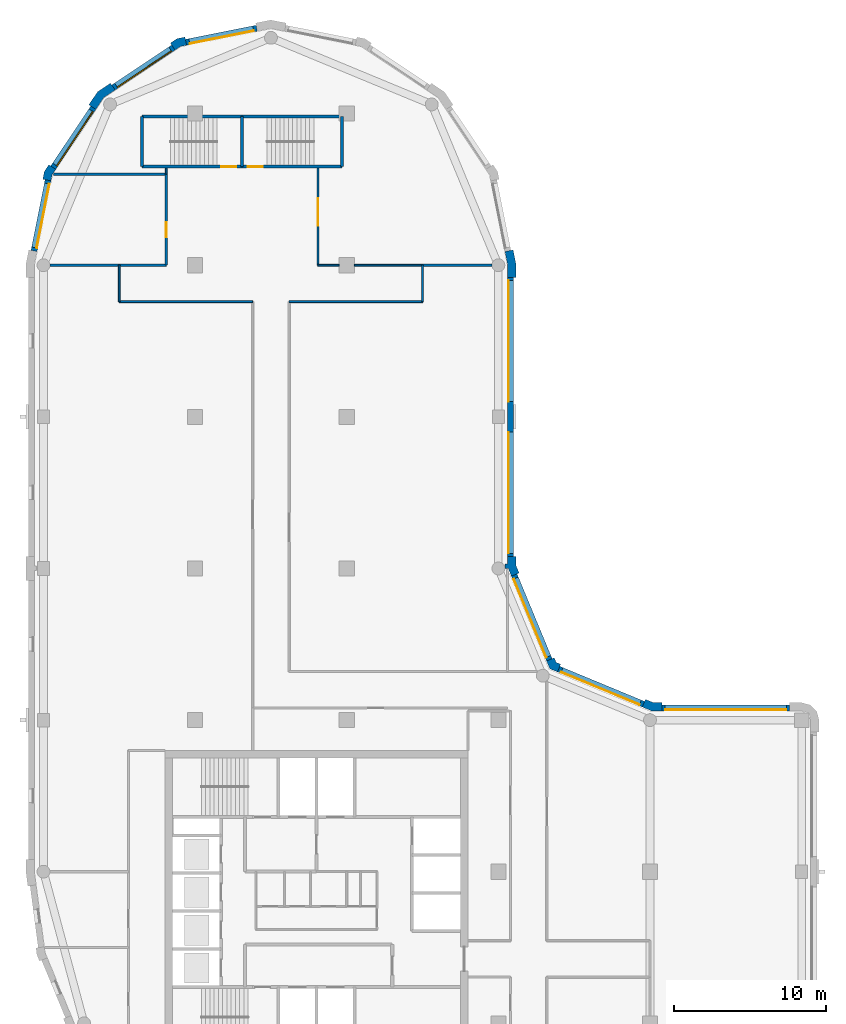
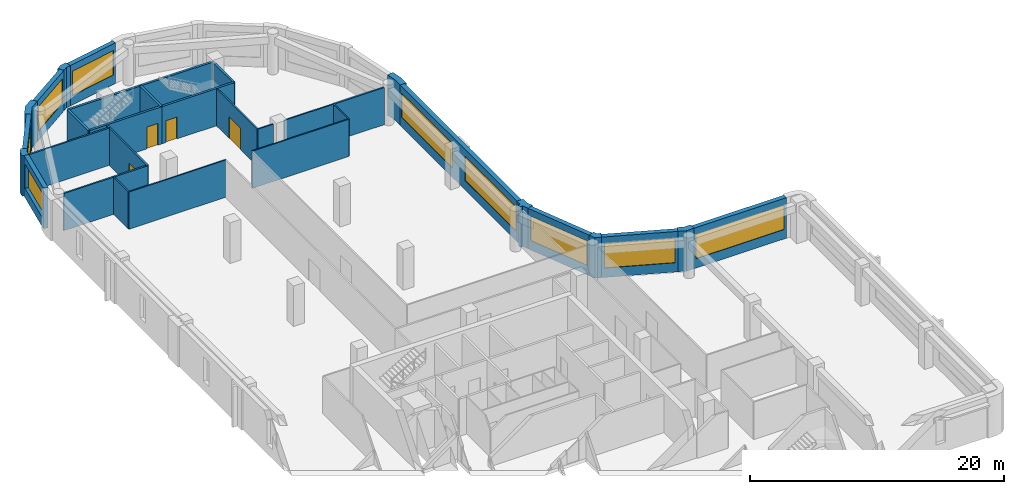
# One storey, part 5 of 8: 34 walls, 9 windows, 4 doors, 13 openings.
"""IFC4 building model written with IfcOpenShell, lengths in metres."""

from ifc_helpers import new_model, si_unit, direction, frame, frame_2d, origin, place, context, subcontext, project, spatial, polyline, rectangle, outline, extrude, material, layer, layer_set, type_object, element, fill, save


model = new_model("IFC4")

# Units and contexts
model_context = context("Model", 3, precision=1e-05, world=origin(), true_north=direction((0.0, 1.0)))
body_context = subcontext(model_context, "Body", "Model", "MODEL_VIEW")
ifc_project = project(units=[si_unit("LENGTHUNIT", "METRE"), si_unit("AREAUNIT", "SQUARE_METRE"), si_unit("VOLUMEUNIT", "CUBIC_METRE"), si_unit("PLANEANGLEUNIT", "RADIAN"), si_unit("MASSUNIT", "GRAM", prefix="KILO")], contexts=[model_context])

# Site, building, storey
site_placement = place(None, origin())
site = spatial("IfcSite", under=ifc_project, at=site_placement, CompositionType="ELEMENT")
building_placement = place(site_placement, origin())
building = spatial("IfcBuilding", under=site, at=building_placement, Name="Qaws Garden Tower", CompositionType="ELEMENT")
storey_placement = place(building_placement, frame((0.0, 0.0, 274.800048828125)))
storey = spatial("IfcBuildingStorey", under=building, at=storey_placement, Name="L66", CompositionType="ELEMENT", Elevation=274.800048828125)

# Wall, opening, window
ifc_material_1 = material(Name="Buff clay facing brick masonry", Category="masonry")
ifc_layer_1 = layer(ifc_material_1, 0.39990234375)
ifc_layer_set_1 = layer_set([ifc_layer_1], Name="Buff clay facing brick masonry")
wall_type_1 = type_object("IfcWallType", Name="Buff brick infill wall 400", PredefinedType="SOLIDWALL", material=ifc_layer_set_1)
wall_1_placement = place(storey_placement, frame((49.199951171875, 30.800048828125, 0.0), z_axis=(0.0, 0.0, 1.0), x_axis=(-1.0, 0.0, 0.0)))
wall_1 = element("IfcWall", 1, at=wall_1_placement, inside=storey, type_object=wall_type_1, Name="E-L66-infill-06", PredefinedType="SOLIDWALL", context=body_context, shape_type="SweptSolid", body=[
    extrude(rectangle(XDim=8.39990234375, YDim=0.39990234375, at=frame_2d((4.199951171875, 0.0))), origin(), (0.0, 0.0, 1.0), 3.89990234375),
])
opening_1_placement = place(wall_1_placement, frame((0.199951171875, 0.0, 0.89990234375)))
opening_1 = element("IfcOpeningElement", 2, at=opening_1_placement, cuts=wall_1, Name="Opening W01", PredefinedType="OPENING", context=body_context, shape_type="SweptSolid", body=[
    extrude(rectangle(XDim=8.0, YDim=2.35009765625, at=frame_2d((4.0, 1.175048828125))), frame((0.0, 0.2099609375, 0.0), z_axis=(0.0, -1.0, 0.0), x_axis=(1.0, 0.0, 0.0)), (0.0, 0.0, 1.0), 0.419921875),
])
ifc_material_2 = material(Name="Aluminium framed window, clear glazing", Category="aluminium")
window_type_1 = type_object("IfcWindowType", Name="Ribbon window 8000 x 2350", PartitioningType="DOUBLE_PANEL_VERTICAL", PredefinedType="WINDOW", material=ifc_material_2)
window_1_placement = place(opening_1_placement, origin())
window_1 = element("IfcWindow", 3, at=window_1_placement, inside=storey, type_object=window_type_1, Name="E-L66-window-06-0", OverallHeight=2.35009765625, OverallWidth=8.0, PartitioningType="SINGLE_PANEL", PredefinedType="WINDOW", context=body_context, shape_type="SweptSolid", body=[
    extrude(rectangle(XDim=8.0, YDim=2.35009765625, at=frame_2d((4.0, 1.175048828125))), frame((0.0, 0.159912109375, 0.0), z_axis=(0.0, -1.0, 0.0), x_axis=(1.0, 0.0, 0.0)), (0.0, 0.0, 1.0), 0.06005859375),
])
fill(opening_1, window_1)

wall_2_placement = place(storey_placement, frame((39.56689453125, 31.04541015625, 0.0), z_axis=(0.0, 0.0, 1.0), x_axis=(-0.923891000409, 0.382655745237, 0.0)))
wall_2 = element("IfcWall", 4, at=wall_2_placement, inside=storey, type_object=wall_type_1, Name="E-L66-infill-07", PredefinedType="SOLIDWALL", context=body_context, shape_type="SweptSolid", body=[
    extrude(rectangle(XDim=6.053466796875, YDim=0.39990234375, at=frame_2d((3.02685546875, 0.0))), origin(), (0.0, 0.0, 1.0), 3.89990234375),
])
opening_2_placement = place(wall_2_placement, frame((0.226806640625, 0.0, 0.89990234375)))
opening_2 = element("IfcOpeningElement", 5, at=opening_2_placement, cuts=wall_2, Name="Opening W04", PredefinedType="OPENING", context=body_context, shape_type="SweptSolid", body=[
    extrude(rectangle(XDim=5.60009765625, YDim=2.35009765625, at=frame_2d((2.800048828125, 1.175048828125))), frame((0.0, 0.2099609375, 0.0), z_axis=(0.0, -1.0, 0.0), x_axis=(1.0, 0.0, 0.0)), (0.0, 0.0, 1.0), 0.419921875),
])
ifc_material_3 = material(Name="Aluminium framed window, clear glazing", Category="aluminium")
window_type_2 = type_object("IfcWindowType", Name="Ribbon window 5600 x 2350", PartitioningType="DOUBLE_PANEL_VERTICAL", PredefinedType="WINDOW", material=ifc_material_3)
window_2_placement = place(opening_2_placement, origin())
window_2 = element("IfcWindow", 6, at=window_2_placement, inside=storey, type_object=window_type_2, Name="E-L66-window-07-0", OverallHeight=2.35009765625, OverallWidth=5.60009765625, PartitioningType="SINGLE_PANEL", PredefinedType="WINDOW", context=body_context, shape_type="SweptSolid", body=[
    extrude(rectangle(XDim=5.60009765625, YDim=2.35009765625, at=frame_2d((2.800048828125, 1.175048828125))), frame((0.0, 0.159912109375, 0.0), z_axis=(0.0, -1.0, 0.0), x_axis=(1.0, 0.0, 0.0)), (0.0, 0.0, 1.0), 0.06005859375),
])
fill(opening_2, window_2)

wall_3_placement = place(storey_placement, frame((33.36181640625, 33.97412109375, 0.0), z_axis=(0.0, 0.0, 1.0), x_axis=(-0.382655745237, 0.923891000409, 0.0)))
wall_3 = element("IfcWall", 7, at=wall_3_placement, inside=storey, type_object=wall_type_1, Name="E-L66-infill-08", PredefinedType="SOLIDWALL", context=body_context, shape_type="SweptSolid", body=[
    extrude(rectangle(XDim=6.053466796875, YDim=0.39990234375, at=frame_2d((3.02685546875, 0.0))), origin(), (0.0, 0.0, 1.0), 3.89990234375),
])
opening_3_placement = place(wall_3_placement, frame((0.226806640625, 0.0, 0.89990234375)))
opening_3 = element("IfcOpeningElement", 8, at=opening_3_placement, cuts=wall_3, Name="Opening W04", PredefinedType="OPENING", context=body_context, shape_type="SweptSolid", body=[
    extrude(rectangle(XDim=5.60009765625, YDim=2.35009765625, at=frame_2d((2.800048828125, 1.175048828125))), frame((0.0, 0.2099609375, 0.0), z_axis=(0.0, -1.0, 0.0), x_axis=(1.0, 0.0, 0.0)), (0.0, 0.0, 1.0), 0.419921875),
])
window_3_placement = place(opening_3_placement, origin())
window_3 = element("IfcWindow", 9, at=window_3_placement, inside=storey, type_object=window_type_2, Name="E-L66-window-08-0", OverallHeight=2.35009765625, OverallWidth=5.60009765625, PartitioningType="SINGLE_PANEL", PredefinedType="WINDOW", context=body_context, shape_type="SweptSolid", body=[
    extrude(rectangle(XDim=5.60009765625, YDim=2.35009765625, at=frame_2d((2.800048828125, 1.175048828125))), frame((0.0, 0.159912109375, 0.0), z_axis=(0.0, -1.0, 0.0), x_axis=(1.0, 0.0, 0.0)), (0.0, 0.0, 1.0), 0.06005859375),
])
fill(opening_3, window_3)

# Wall, openings, windows
wall_4_placement = place(storey_placement, frame((30.800048828125, 40.800048828125, 0.0), z_axis=(0.0, 0.0, 1.0), x_axis=(0.0, 1.0, 0.0)))
wall_4 = element("IfcWall", 10, at=wall_4_placement, inside=storey, type_object=wall_type_1, Name="E-L66-infill-09", PredefinedType="SOLIDWALL", context=body_context, shape_type="SweptSolid", body=[
    extrude(rectangle(XDim=18.39990234375, YDim=0.39990234375, at=frame_2d((9.199951171875, 0.0))), origin(), (0.0, 0.0, 1.0), 3.89990234375),
])
opening_4_placement = place(wall_4_placement, frame((0.199951171875, 0.0, 0.89990234375)))
opening_4 = element("IfcOpeningElement", 11, at=opening_4_placement, cuts=wall_4, Name="Opening W01", PredefinedType="OPENING", context=body_context, shape_type="SweptSolid", body=[
    extrude(rectangle(XDim=8.0, YDim=2.35009765625, at=frame_2d((4.0, 1.175048828125))), frame((0.0, 0.2099609375, 0.0), z_axis=(0.0, -1.0, 0.0), x_axis=(1.0, 0.0, 0.0)), (0.0, 0.0, 1.0), 0.419921875),
])
opening_5_placement = place(wall_4_placement, frame((10.199951171875, 0.0, 0.89990234375)))
opening_5 = element("IfcOpeningElement", 12, at=opening_5_placement, cuts=wall_4, Name="Opening W01", PredefinedType="OPENING", context=body_context, shape_type="SweptSolid", body=[
    extrude(rectangle(XDim=8.0, YDim=2.35009765625, at=frame_2d((4.0, 1.175048828125))), frame((0.0, 0.2099609375, 0.0), z_axis=(0.0, -1.0, 0.0), x_axis=(1.0, 0.0, 0.0)), (0.0, 0.0, 1.0), 0.419921875),
])
window_4_placement = place(opening_4_placement, origin())
window_4 = element("IfcWindow", 13, at=window_4_placement, inside=storey, type_object=window_type_1, Name="E-L66-window-09-0", OverallHeight=2.35009765625, OverallWidth=8.0, PartitioningType="SINGLE_PANEL", PredefinedType="WINDOW", context=body_context, shape_type="SweptSolid", body=[
    extrude(rectangle(XDim=8.0, YDim=2.35009765625, at=frame_2d((4.0, 1.175048828125))), frame((0.0, 0.159912109375, 0.0), z_axis=(0.0, -1.0, 0.0), x_axis=(1.0, 0.0, 0.0)), (0.0, 0.0, 1.0), 0.06005859375),
])
fill(opening_4, window_4)
window_5_placement = place(opening_5_placement, origin())
window_5 = element("IfcWindow", 14, at=window_5_placement, inside=storey, type_object=window_type_1, Name="E-L66-window-10-0", OverallHeight=2.35009765625, OverallWidth=8.0, PartitioningType="SINGLE_PANEL", PredefinedType="WINDOW", context=body_context, shape_type="SweptSolid", body=[
    extrude(rectangle(XDim=8.0, YDim=2.35009765625, at=frame_2d((4.0, 1.175048828125))), frame((0.0, 0.159912109375, 0.0), z_axis=(0.0, -1.0, 0.0), x_axis=(1.0, 0.0, 0.0)), (0.0, 0.0, 1.0), 0.06005859375),
])
fill(opening_5, window_5)

# Wall, opening, window
wall_5_placement = place(storey_placement, frame((14.059326171875, 75.628662109375, 0.0), z_axis=(0.0, 0.0, 1.0), x_axis=(-0.98078364709, -0.195098533057, 0.0)))
wall_5 = element("IfcWall", 15, at=wall_5_placement, inside=storey, type_object=wall_type_1, Name="E-L66-infill-15", PredefinedType="SOLIDWALL", context=body_context, shape_type="SweptSolid", body=[
    extrude(rectangle(XDim=4.752685546875, YDim=0.39990234375, at=frame_2d((2.37646484375, 0.0))), origin(), (0.0, 0.0, 1.0), 3.89990234375),
])
opening_6_placement = place(wall_5_placement, frame((0.226318359375, 0.0, 0.89990234375)))
opening_6 = element("IfcOpeningElement", 16, at=opening_6_placement, cuts=wall_5, Name="Opening W06", PredefinedType="OPENING", context=body_context, shape_type="SweptSolid", body=[
    extrude(rectangle(XDim=4.300048828125, YDim=2.35009765625, at=frame_2d((2.14990234375, 1.175048828125))), frame((0.0, 0.2099609375, 0.0), z_axis=(0.0, -1.0, 0.0), x_axis=(1.0, 0.0, 0.0)), (0.0, 0.0, 1.0), 0.419921875),
])
ifc_material_4 = material(Name="Aluminium framed window, clear glazing", Category="aluminium")
window_type_3 = type_object("IfcWindowType", Name="Ribbon window 4300 x 2350", PartitioningType="DOUBLE_PANEL_VERTICAL", PredefinedType="WINDOW", material=ifc_material_4)
window_6_placement = place(opening_6_placement, origin())
window_6 = element("IfcWindow", 17, at=window_6_placement, inside=storey, type_object=window_type_3, Name="E-L66-window-15-0", OverallHeight=2.35009765625, OverallWidth=4.300048828125, PartitioningType="SINGLE_PANEL", PredefinedType="WINDOW", context=body_context, shape_type="SweptSolid", body=[
    extrude(rectangle(XDim=4.300048828125, YDim=2.35009765625, at=frame_2d((2.14990234375, 1.175048828125))), frame((0.0, 0.159912109375, 0.0), z_axis=(0.0, -1.0, 0.0), x_axis=(1.0, 0.0, 0.0)), (0.0, 0.0, 1.0), 0.06005859375),
])
fill(opening_6, window_6)

wall_6_placement = place(storey_placement, frame((8.56591796875, 74.356689453125, 0.0), z_axis=(0.0, 0.0, 1.0), x_axis=(-0.831488775454, -0.555541552266, 0.0)))
wall_6 = element("IfcWall", 18, at=wall_6_placement, inside=storey, type_object=wall_type_1, Name="E-L66-infill-16", PredefinedType="SOLIDWALL", context=body_context, shape_type="SweptSolid", body=[
    extrude(rectangle(XDim=4.752685546875, YDim=0.39990234375, at=frame_2d((2.37646484375, 0.0))), origin(), (0.0, 0.0, 1.0), 3.89990234375),
])
opening_7_placement = place(wall_6_placement, frame((0.226318359375, 0.0, 0.89990234375)))
opening_7 = element("IfcOpeningElement", 19, at=opening_7_placement, cuts=wall_6, Name="Opening W06", PredefinedType="OPENING", context=body_context, shape_type="SweptSolid", body=[
    extrude(rectangle(XDim=4.300048828125, YDim=2.35009765625, at=frame_2d((2.14990234375, 1.175048828125))), frame((0.0, 0.2099609375, 0.0), z_axis=(0.0, -1.0, 0.0), x_axis=(1.0, 0.0, 0.0)), (0.0, 0.0, 1.0), 0.419921875),
])
window_7_placement = place(opening_7_placement, origin())
window_7 = element("IfcWindow", 20, at=window_7_placement, inside=storey, type_object=window_type_3, Name="E-L66-window-16-0", OverallHeight=2.35009765625, OverallWidth=4.300048828125, PartitioningType="SINGLE_PANEL", PredefinedType="WINDOW", context=body_context, shape_type="SweptSolid", body=[
    extrude(rectangle(XDim=4.300048828125, YDim=2.35009765625, at=frame_2d((2.14990234375, 1.175048828125))), frame((0.0, 0.159912109375, 0.0), z_axis=(0.0, -1.0, 0.0), x_axis=(1.0, 0.0, 0.0)), (0.0, 0.0, 1.0), 0.06005859375),
])
fill(opening_7, window_7)

wall_7_placement = place(storey_placement, frame((3.28369140625, 70.385986328125, 0.0), z_axis=(0.0, 0.0, 1.0), x_axis=(-0.555541552266, -0.831488775454, 0.0)))
wall_7 = element("IfcWall", 21, at=wall_7_placement, inside=storey, type_object=wall_type_1, Name="E-L66-infill-17", PredefinedType="SOLIDWALL", context=body_context, shape_type="SweptSolid", body=[
    extrude(rectangle(XDim=4.752685546875, YDim=0.39990234375, at=frame_2d((2.37646484375, 0.0))), origin(), (0.0, 0.0, 1.0), 3.89990234375),
])
opening_8_placement = place(wall_7_placement, frame((0.226318359375, 0.0, 0.89990234375)))
opening_8 = element("IfcOpeningElement", 22, at=opening_8_placement, cuts=wall_7, Name="Opening W06", PredefinedType="OPENING", context=body_context, shape_type="SweptSolid", body=[
    extrude(rectangle(XDim=4.300048828125, YDim=2.35009765625, at=frame_2d((2.14990234375, 1.175048828125))), frame((0.0, 0.2099609375, 0.0), z_axis=(0.0, -1.0, 0.0), x_axis=(1.0, 0.0, 0.0)), (0.0, 0.0, 1.0), 0.419921875),
])
window_8_placement = place(opening_8_placement, origin())
window_8 = element("IfcWindow", 23, at=window_8_placement, inside=storey, type_object=window_type_3, Name="E-L66-window-17-0", OverallHeight=2.35009765625, OverallWidth=4.300048828125, PartitioningType="SINGLE_PANEL", PredefinedType="WINDOW", context=body_context, shape_type="SweptSolid", body=[
    extrude(rectangle(XDim=4.300048828125, YDim=2.35009765625, at=frame_2d((2.14990234375, 1.175048828125))), frame((0.0, 0.159912109375, 0.0), z_axis=(0.0, -1.0, 0.0), x_axis=(1.0, 0.0, 0.0)), (0.0, 0.0, 1.0), 0.06005859375),
])
fill(opening_8, window_8)

wall_8_placement = place(storey_placement, frame((0.298583984375, 65.60205078125, 0.0), z_axis=(0.0, 0.0, 1.0), x_axis=(-0.195098533057, -0.98078364709, 0.0)))
wall_8 = element("IfcWall", 24, at=wall_8_placement, inside=storey, type_object=wall_type_1, Name="E-L66-infill-18", PredefinedType="SOLIDWALL", context=body_context, shape_type="SweptSolid", body=[
    extrude(rectangle(XDim=4.752685546875, YDim=0.39990234375, at=frame_2d((2.37646484375, 0.0))), origin(), (0.0, 0.0, 1.0), 3.89990234375),
])
opening_9_placement = place(wall_8_placement, frame((0.226318359375, 0.0, 0.89990234375)))
opening_9 = element("IfcOpeningElement", 25, at=opening_9_placement, cuts=wall_8, Name="Opening W06", PredefinedType="OPENING", context=body_context, shape_type="SweptSolid", body=[
    extrude(rectangle(XDim=4.300048828125, YDim=2.35009765625, at=frame_2d((2.14990234375, 1.175048828125))), frame((0.0, 0.2099609375, 0.0), z_axis=(0.0, -1.0, 0.0), x_axis=(1.0, 0.0, 0.0)), (0.0, 0.0, 1.0), 0.419921875),
])
window_9_placement = place(opening_9_placement, origin())
window_9 = element("IfcWindow", 26, at=window_9_placement, inside=storey, type_object=window_type_3, Name="E-L66-window-18-0", OverallHeight=2.35009765625, OverallWidth=4.300048828125, PartitioningType="SINGLE_PANEL", PredefinedType="WINDOW", context=body_context, shape_type="SweptSolid", body=[
    extrude(rectangle(XDim=4.300048828125, YDim=2.35009765625, at=frame_2d((2.14990234375, 1.175048828125))), frame((0.0, 0.159912109375, 0.0), z_axis=(0.0, -1.0, 0.0), x_axis=(1.0, 0.0, 0.0)), (0.0, 0.0, 1.0), 0.06005859375),
])
fill(opening_9, window_9)

# Walls
ifc_material_5 = material(Name="Buff clay facing brick masonry", Category="masonry")
ifc_layer_2 = layer(ifc_material_5, 0.550048828125)
ifc_layer_set_2 = layer_set([ifc_layer_2], Name="Buff clay facing brick masonry")
wall_type_2 = type_object("IfcWallType", Name="Buff brick kink pier 550 x 600", PredefinedType="SOLIDWALL", material=ifc_layer_set_2)
placement = place(storey_placement, origin())
element("IfcWall", 27, at=placement, inside=storey, type_object=wall_type_2, Name="E-L66-pier-16", PredefinedType="SOLIDWALL", context=body_context, shape_type="SweptSolid", body=[
    extrude(outline(polyline([(9.35888671875, 74.8974609375), (9.32958984375, 75.044677734375), (8.81103515625, 74.94140625), (8.371337890625, 74.647705078125), (8.454833984375, 74.52294921875), (8.677001953125, 74.1904296875), (9.025634765625, 74.42333984375), (9.43701171875, 74.505126953125), (9.35888671875, 74.8974609375)])), origin(), (0.0, 0.0, 1.0), 3.89990234375),
])
element("IfcWall", 28, at=placement, inside=storey, type_object=wall_type_2, Name="E-L66-pier-18", PredefinedType="SOLIDWALL", context=body_context, shape_type="SweptSolid", body=[
    extrude(outline(polyline([(0.47705078125, 66.545166015625), (0.352294921875, 66.628662109375), (0.05859375, 66.18896484375), (-0.044677734375, 65.67041015625), (0.1025390625, 65.64111328125), (0.494873046875, 65.56298828125), (0.57666015625, 65.974365234375), (0.8095703125, 66.322998046875), (0.47705078125, 66.545166015625)])), origin(), (0.0, 0.0, 1.0), 3.89990234375),
])
ifc_material_6 = material(Name="Buff clay facing brick masonry", Category="masonry")
ifc_layer_3 = layer(ifc_material_6, 0.550048828125)
ifc_layer_set_3 = layer_set([ifc_layer_3], Name="Buff clay facing brick masonry")
wall_type_3 = type_object("IfcWallType", Name="Buff brick pier 550 x 1600", PredefinedType="SOLIDWALL", material=ifc_layer_set_3)
element("IfcWall", 29, at=placement, inside=storey, type_object=wall_type_3, Name="E-L66-pier-07", PredefinedType="SOLIDWALL", context=body_context, shape_type="SweptSolid", body=[
    extrude(outline(polyline([(40.800048828125, 31.0), (40.800048828125, 31.14990234375), (40.228759765625, 31.14990234375), (39.700927734375, 31.36865234375), (39.6435546875, 31.22998046875), (39.490478515625, 30.860595703125), (40.119384765625, 30.60009765625), (40.800048828125, 30.60009765625), (40.800048828125, 31.0)])), origin(), (0.0, 0.0, 1.0), 3.89990234375),
])
element("IfcWall", 30, at=placement, inside=storey, type_object=wall_type_3, Name="E-L66-pier-08", PredefinedType="SOLIDWALL", context=body_context, shape_type="SweptSolid", body=[
    extrude(outline(polyline([(34.05078125, 33.546630859375), (34.108154296875, 33.685302734375), (33.80908203125, 33.80908203125), (33.685302734375, 34.108154296875), (33.546630859375, 34.05078125), (33.177001953125, 33.897705078125), (33.38818359375, 33.38818359375), (33.897705078125, 33.177001953125), (34.05078125, 33.546630859375)])), origin(), (0.0, 0.0, 1.0), 3.89990234375),
])
element("IfcWall", 31, at=placement, inside=storey, type_object=wall_type_3, Name="E-L66-pier-09", PredefinedType="SOLIDWALL", context=body_context, shape_type="SweptSolid", body=[
    extrude(outline(polyline([(30.6201171875, 39.995361328125), (30.6201171875, 40.071044921875), (30.860595703125, 39.490478515625), (31.22998046875, 39.6435546875), (31.36865234375, 39.700927734375), (31.14990234375, 40.228759765625), (31.14990234375, 40.800048828125), (31.0, 40.800048828125), (30.60009765625, 40.800048828125), (30.60009765625, 40.29541015625), (30.425048828125, 40.29541015625), (30.425048828125, 39.995361328125), (30.6201171875, 39.995361328125)])), origin(), (0.0, 0.0, 1.0), 3.89990234375),
])
element("IfcWall", 32, at=placement, inside=storey, type_object=wall_type_3, Name="E-L66-pier-11", PredefinedType="SOLIDWALL", context=body_context, shape_type="SweptSolid", body=[
    extrude(outline(polyline([(31.0, 59.199951171875), (31.14990234375, 59.199951171875), (31.14990234375, 60.11328125), (30.971923828125, 61.009033203125), (30.82470703125, 60.979736328125), (30.432373046875, 60.901611328125), (30.60009765625, 60.05908203125), (30.60009765625, 59.199951171875), (31.0, 59.199951171875)])), origin(), (0.0, 0.0, 1.0), 3.89990234375),
])
element("IfcWall", 33, at=placement, inside=storey, type_object=wall_type_3, Name="E-L66-pier-17", PredefinedType="SOLIDWALL", context=body_context, shape_type="SweptSolid", body=[
    extrude(outline(polyline([(4.5029296875, 71.882568359375), (4.419677734375, 72.00732421875), (3.564208984375, 71.435791015625), (2.99267578125, 70.580322265625), (3.117431640625, 70.4970703125), (3.449951171875, 70.274658203125), (3.9609375, 71.0390625), (4.725341796875, 71.550048828125), (4.5029296875, 71.882568359375)])), origin(), (0.0, 0.0, 1.0), 3.89990234375),
])

# Wall, opening, door
ifc_material_7 = material(Name="Concrete C60", Category="concrete")
ifc_layer_4 = layer(ifc_material_7, 0.199951171875)
ifc_layer_set_4 = layer_set([ifc_layer_4], Name="Concrete C60")
wall_type_4 = type_object("IfcWallType", Name="Core shaft wall 200 C60", PredefinedType="SHEAR", material=ifc_layer_set_4)
wall_16_placement = place(storey_placement, frame((6.5, 66.5, 0.0), z_axis=(0.0, 0.0, 1.0), x_axis=(1.0, 0.0, 0.0)))
wall_16 = element("IfcWall", 34, at=wall_16_placement, inside=storey, type_object=wall_type_4, Name="Shaft wall", PredefinedType="SHEAR", context=body_context, shape_type="SweptSolid", body=[
    extrude(rectangle(XDim=6.60009765625, YDim=0.199951171875, at=frame_2d((3.300048828125, 0.0))), origin(), (0.0, 0.0, 1.0), 3.579833984375),
])
opening_10_placement = place(wall_16_placement, frame((5.22509765625, 0.0, 0.0)))
opening_10 = element("IfcOpeningElement", 35, at=opening_10_placement, cuts=wall_16, Name="Opening SD13", PredefinedType="OPENING", context=body_context, shape_type="SweptSolid", body=[
    extrude(rectangle(XDim=1.0, YDim=2.10009765625, at=frame_2d((0.5, 1.050048828125))), frame((0.0, 0.10986328125, 0.0), z_axis=(0.0, -1.0, 0.0), x_axis=(1.0, 0.0, 0.0)), (0.0, 0.0, 1.0), 0.219970703125),
])
ifc_material_8 = material(Name="Steel S235", Category="steel")
door_type_1 = type_object("IfcDoorType", Name="Stair door 1000x2100", OperationType="SINGLE_SWING_RIGHT", PredefinedType="DOOR", material=ifc_material_8)
door_1_placement = place(opening_10_placement, origin())
door_1 = element("IfcDoor", 36, at=door_1_placement, inside=storey, type_object=door_type_1, Name="Stair 6 door", OperationType="SINGLE_SWING_RIGHT", OverallHeight=2.10009765625, OverallWidth=1.0, PredefinedType="DOOR", context=body_context, shape_type="SweptSolid", body=[
    extrude(rectangle(XDim=1.0, YDim=2.10009765625, at=frame_2d((0.5, 1.050048828125))), frame((0.0, 0.02490234375, 0.0), z_axis=(0.0, -1.0, 0.0), x_axis=(1.0, 0.0, 0.0)), (0.0, 0.0, 1.0), 0.050048828125),
])
fill(opening_10, door_1)

wall_17_placement = place(storey_placement, frame((13.10009765625, 66.5, 0.0), z_axis=(0.0, 0.0, 1.0), x_axis=(1.0, 0.0, 0.0)))
wall_17 = element("IfcWall", 37, at=wall_17_placement, inside=storey, type_object=wall_type_4, Name="Shaft wall", PredefinedType="SHEAR", context=body_context, shape_type="SweptSolid", body=[
    extrude(rectangle(XDim=6.599853515625, YDim=0.199951171875, at=frame_2d((3.2998046875, 0.0))), origin(), (0.0, 0.0, 1.0), 3.579833984375),
])
opening_11_placement = place(wall_17_placement, frame((0.375, 0.0, 0.0)))
opening_11 = element("IfcOpeningElement", 38, at=opening_11_placement, cuts=wall_17, Name="Opening SD14", PredefinedType="OPENING", context=body_context, shape_type="SweptSolid", body=[
    extrude(rectangle(XDim=1.0, YDim=2.10009765625, at=frame_2d((0.5, 1.050048828125))), frame((0.0, 0.10986328125, 0.0), z_axis=(0.0, -1.0, 0.0), x_axis=(1.0, 0.0, 0.0)), (0.0, 0.0, 1.0), 0.219970703125),
])
door_2_placement = place(opening_11_placement, origin())
door_2 = element("IfcDoor", 39, at=door_2_placement, inside=storey, type_object=door_type_1, Name="Stair 7 door", OperationType="SINGLE_SWING_LEFT", OverallHeight=2.10009765625, OverallWidth=1.0, PredefinedType="DOOR", context=body_context, shape_type="SweptSolid", body=[
    extrude(rectangle(XDim=1.0, YDim=2.10009765625, at=frame_2d((0.5, 1.050048828125))), frame((0.0, 0.02490234375, 0.0), z_axis=(0.0, -1.0, 0.0), x_axis=(1.0, 0.0, 0.0)), (0.0, 0.0, 1.0), 0.050048828125),
])
fill(opening_11, door_2)

# Walls
wall_18_placement = place(storey_placement, frame((6.5, 69.800048828125, 0.0), z_axis=(0.0, 0.0, 1.0), x_axis=(1.0, 0.0, 0.0)))
element("IfcWall", 40, at=wall_18_placement, inside=storey, type_object=wall_type_4, Name="Shaft wall", PredefinedType="SHEAR", context=body_context, shape_type="SweptSolid", body=[
    extrude(rectangle(XDim=6.60009765625, YDim=0.199951171875, at=frame_2d((3.300048828125, 0.0))), origin(), (0.0, 0.0, 1.0), 3.579833984375),
])
wall_19_placement = place(storey_placement, frame((13.10009765625, 69.800048828125, 0.0), z_axis=(0.0, 0.0, 1.0), x_axis=(1.0, 0.0, 0.0)))
element("IfcWall", 41, at=wall_19_placement, inside=storey, type_object=wall_type_4, Name="Shaft wall", PredefinedType="SHEAR", context=body_context, shape_type="SweptSolid", body=[
    extrude(rectangle(XDim=6.599853515625, YDim=0.199951171875, at=frame_2d((3.2998046875, 0.0))), origin(), (0.0, 0.0, 1.0), 3.579833984375),
])
for number, where, z_axis, x_axis, name in (
    (42, (6.5, 66.5, 0.0), (0.0, 0.0, 1.0), (0.0, 1.0, 0.0), "Shaft wall"),
    (43, (13.10009765625, 66.5, 0.0), (0.0, 0.0, 1.0), (0.0, 1.0, 0.0), "Shaft wall"),
    (44, (19.699951171875, 66.5, 0.0), (0.0, 0.0, 1.0), (0.0, 1.0, 0.0), "Shaft wall"),
):
    element("IfcWall", number, at=place(storey_placement, frame(where, z_axis=z_axis, x_axis=x_axis)), inside=storey, type_object=wall_type_4, Name=name, PredefinedType="SHEAR", context=body_context, shape_type="SweptSolid", body=[
        extrude(rectangle(XDim=3.300048828125, YDim=0.199951171875, at=frame_2d((1.64990234375, 0.0))), origin(), (0.0, 0.0, 1.0), 3.579833984375),
    ])
ifc_material_9 = material(Name="Glass and aluminium framing", Category="aluminium")
ifc_layer_5 = layer(ifc_material_9, 0.1201171875)
ifc_layer_set_5 = layer_set([ifc_layer_5], Name="Glass and aluminium framing")
wall_type_5 = type_object("IfcWallType", Name="GLAZED PARTITION 120 EI 30", PredefinedType="PARTITIONING", material=ifc_layer_set_5)
wall_20_placement = place(storey_placement, frame((5.0, 57.60009765625, 0.0), z_axis=(0.0, 0.0, 1.0), x_axis=(0.0, 1.0, 0.0)))
element("IfcWall", 45, at=wall_20_placement, inside=storey, type_object=wall_type_5, Name="O-L66-wall-018", PredefinedType="PARTITIONING", context=body_context, shape_type="SweptSolid", body=[
    extrude(rectangle(XDim=2.39990234375, YDim=0.1201171875, at=frame_2d((1.199951171875, 0.0))), origin(), (0.0, 0.0, 1.0), 3.579833984375),
])
wall_21_placement = place(storey_placement, frame((8.10009765625, 66.0, 0.0), z_axis=(0.0, 0.0, 1.0), x_axis=(0.0, 1.0, 0.0)))
element("IfcWall", 46, at=wall_21_placement, inside=storey, type_object=wall_type_5, Name="O-L66-wall-020", PredefinedType="PARTITIONING", context=body_context, shape_type="SweptSolid", body=[
    extrude(rectangle(XDim=0.39990234375, YDim=0.1201171875, at=frame_2d((0.199951171875, 0.0))), origin(), (0.0, 0.0, 1.0), 3.579833984375),
])

# Wall, opening, door
wall_22_placement = place(storey_placement, frame((18.10009765625, 60.0, 0.0), z_axis=(0.0, 0.0, 1.0), x_axis=(0.0, 1.0, 0.0)))
wall_22 = element("IfcWall", 47, at=wall_22_placement, inside=storey, type_object=wall_type_5, Name="O-L66-wall-023", PredefinedType="PARTITIONING", context=body_context, shape_type="SweptSolid", body=[
    extrude(rectangle(XDim=6.39990234375, YDim=0.1201171875, at=frame_2d((3.199951171875, 0.0))), origin(), (0.0, 0.0, 1.0), 3.579833984375),
])
opening_12_placement = place(wall_22_placement, frame((2.60009765625, 0.0, 0.0)))
opening_12 = element("IfcOpeningElement", 48, at=opening_12_placement, cuts=wall_22, Name="Opening C311", PredefinedType="OPENING", context=body_context, shape_type="SweptSolid", body=[
    extrude(rectangle(XDim=1.800048828125, YDim=2.10009765625, at=frame_2d((0.89990234375, 1.050048828125))), frame((0.0, 0.070068359375, 0.0), z_axis=(0.0, -1.0, 0.0), x_axis=(1.0, 0.0, 0.0)), (0.0, 0.0, 1.0), 0.14013671875),
])
ifc_material_10 = material(Name="Timber door leaf", Category="wood")
door_type_2 = type_object("IfcDoorType", Name="DOUBLE DOOR 1800 X 2100", OperationType="DOUBLE_DOOR_SINGLE_SWING", PredefinedType="DOOR", material=ifc_material_10)
door_3_placement = place(opening_12_placement, frame((1.800048828125, 0.0, 0.0), z_axis=(0.0, 0.0, 1.0), x_axis=(-1.0, 0.0, 0.0)))
door_3 = element("IfcDoor", 49, at=door_3_placement, inside=storey, type_object=door_type_2, Name="O-L66-door-011", OperationType="DOUBLE_DOOR_SINGLE_SWING", OverallHeight=2.10009765625, OverallWidth=1.800048828125, PredefinedType="DOOR", context=body_context, shape_type="SweptSolid", body=[
    extrude(rectangle(XDim=1.800048828125, YDim=2.10009765625, at=frame_2d((0.89990234375, 1.050048828125))), frame((0.0, 0.02490234375, 0.0), z_axis=(0.0, -1.0, 0.0), x_axis=(1.0, 0.0, 0.0)), (0.0, 0.0, 1.0), 0.050048828125),
])
fill(opening_12, door_3)

# Walls
wall_23_placement = place(storey_placement, frame((25.0, 57.60009765625, 0.0), z_axis=(0.0, 0.0, 1.0), x_axis=(0.0, 1.0, 0.0)))
element("IfcWall", 50, at=wall_23_placement, inside=storey, type_object=wall_type_5, Name="O-L66-wall-024", PredefinedType="PARTITIONING", context=body_context, shape_type="SweptSolid", body=[
    extrude(rectangle(XDim=2.39990234375, YDim=0.1201171875, at=frame_2d((1.199951171875, 0.0))), origin(), (0.0, 0.0, 1.0), 3.579833984375),
])
for number, where, z_axis, x_axis, name in (
    (51, (5.0, 57.60009765625, 0.0), (0.0, 0.0, 1.0), (1.0, 0.0, 0.0), "O-L66-wall-038"),
    (52, (16.199951171875, 57.60009765625, 0.0), (0.0, 0.0, 1.0), (1.0, 0.0, 0.0), "O-L66-wall-039"),
):
    element("IfcWall", number, at=place(storey_placement, frame(where, z_axis=z_axis, x_axis=x_axis)), inside=storey, type_object=wall_type_5, Name=name, PredefinedType="PARTITIONING", context=body_context, shape_type="SweptSolid", body=[
        extrude(rectangle(XDim=8.800048828125, YDim=0.1201171875, at=frame_2d((4.39990234375, 0.0))), origin(), (0.0, 0.0, 1.0), 3.579833984375),
    ])
wall_24_placement = place(storey_placement, frame((18.10009765625, 60.0, 0.0), z_axis=(0.0, 0.0, 1.0), x_axis=(1.0, 0.0, 0.0)))
element("IfcWall", 53, at=wall_24_placement, inside=storey, type_object=wall_type_5, Name="O-L66-wall-040", PredefinedType="PARTITIONING", context=body_context, shape_type="SweptSolid", body=[
    extrude(rectangle(XDim=1.39990234375, YDim=0.1201171875, at=frame_2d((0.699951171875, 0.0))), origin(), (0.0, 0.0, 1.0), 3.579833984375),
])
wall_25_placement = place(storey_placement, frame((20.5, 60.0, 0.0), z_axis=(0.0, 0.0, 1.0), x_axis=(1.0, 0.0, 0.0)))
element("IfcWall", 54, at=wall_25_placement, inside=storey, type_object=wall_type_5, Name="O-L66-wall-041", PredefinedType="PARTITIONING", context=body_context, shape_type="SweptSolid", body=[
    extrude(rectangle(XDim=4.5, YDim=0.1201171875, at=frame_2d((2.25, 0.0))), origin(), (0.0, 0.0, 1.0), 3.579833984375),
])

# Wall, opening, door
ifc_material_11 = material(Name="Gypsum board partition")
ifc_layer_6 = layer(ifc_material_11, 0.14990234375)
ifc_layer_set_6 = layer_set([ifc_layer_6], Name="Gypsum board partition")
wall_type_6 = type_object("IfcWallType", Name="PARTITION 150 EI 60", PredefinedType="PARTITIONING", material=ifc_layer_set_6)
wall_26_placement = place(storey_placement, frame((8.10009765625, 60.0, 0.0), z_axis=(0.0, 0.0, 1.0), x_axis=(0.0, 1.0, 0.0)))
wall_26 = element("IfcWall", 55, at=wall_26_placement, inside=storey, type_object=wall_type_6, Name="O-L66-wall-002", PredefinedType="PARTITIONING", context=body_context, shape_type="SweptSolid", body=[
    extrude(rectangle(XDim=6.0, YDim=0.14990234375, at=frame_2d((3.0, 0.0))), origin(), (0.0, 0.0, 1.0), 3.579833984375),
])
opening_13_placement = place(wall_26_placement, frame((1.85009765625, 0.0, 0.0)))
opening_13 = element("IfcOpeningElement", 56, at=opening_13_placement, cuts=wall_26, Name="Opening C310", PredefinedType="OPENING", context=body_context, shape_type="SweptSolid", body=[
    extrude(rectangle(XDim=1.0, YDim=2.10009765625, at=frame_2d((0.5, 1.050048828125))), frame((0.0, 0.0849609375, 0.0), z_axis=(0.0, -1.0, 0.0), x_axis=(1.0, 0.0, 0.0)), (0.0, 0.0, 1.0), 0.169921875),
])
ifc_material_12 = material(Name="Timber door leaf", Category="wood")
door_type_3 = type_object("IfcDoorType", Name="TENANCY ENTRANCE DOOR 1000 X 2100", OperationType="SINGLE_SWING_LEFT", PredefinedType="DOOR", material=ifc_material_12)
door_4_placement = place(opening_13_placement, origin())
door_4 = element("IfcDoor", 57, at=door_4_placement, inside=storey, type_object=door_type_3, Name="O-L66-door-010", OperationType="SINGLE_SWING_LEFT", OverallHeight=2.10009765625, OverallWidth=1.0, PredefinedType="DOOR", context=body_context, shape_type="SweptSolid", body=[
    extrude(rectangle(XDim=1.0, YDim=2.10009765625, at=frame_2d((0.5, 1.050048828125))), frame((0.0, 0.02490234375, 0.0), z_axis=(0.0, -1.0, 0.0), x_axis=(1.0, 0.0, 0.0)), (0.0, 0.0, 1.0), 0.050048828125),
])
fill(opening_13, door_4)

# Walls
wall_27_placement = place(storey_placement, frame((0.425048828125, 60.0, 0.0), z_axis=(0.0, 0.0, 1.0), x_axis=(1.0, 0.0, 0.0)))
element("IfcWall", 58, at=wall_27_placement, inside=storey, type_object=wall_type_6, Name="O-L66-wall-015", PredefinedType="PARTITIONING", context=body_context, shape_type="SweptSolid", body=[
    extrude(rectangle(XDim=7.675048828125, YDim=0.14990234375, at=frame_2d((3.83740234375, 0.0))), origin(), (0.0, 0.0, 1.0), 3.579833984375),
])
wall_28_placement = place(storey_placement, frame((25.0, 60.0, 0.0), z_axis=(0.0, 0.0, 1.0), x_axis=(1.0, 0.0, 0.0)))
element("IfcWall", 59, at=wall_28_placement, inside=storey, type_object=wall_type_6, Name="O-L66-wall-016", PredefinedType="PARTITIONING", context=body_context, shape_type="SweptSolid", body=[
    extrude(rectangle(XDim=4.574951171875, YDim=0.14990234375, at=frame_2d((2.28759765625, 0.0))), origin(), (0.0, 0.0, 1.0), 3.579833984375),
])
wall_29_placement = place(storey_placement, frame((0.643798828125, 66.0, 0.0), z_axis=(0.0, 0.0, 1.0), x_axis=(1.0, 0.0, 0.0)))
element("IfcWall", 60, at=wall_29_placement, inside=storey, type_object=wall_type_6, Name="O-L66-wall-017", PredefinedType="PARTITIONING", context=body_context, shape_type="SweptSolid", body=[
    extrude(rectangle(XDim=7.456298828125, YDim=0.14990234375, at=frame_2d((3.72802734375, 0.0))), origin(), (0.0, 0.0, 1.0), 3.579833984375),
])

save(model, "model.ifc")
